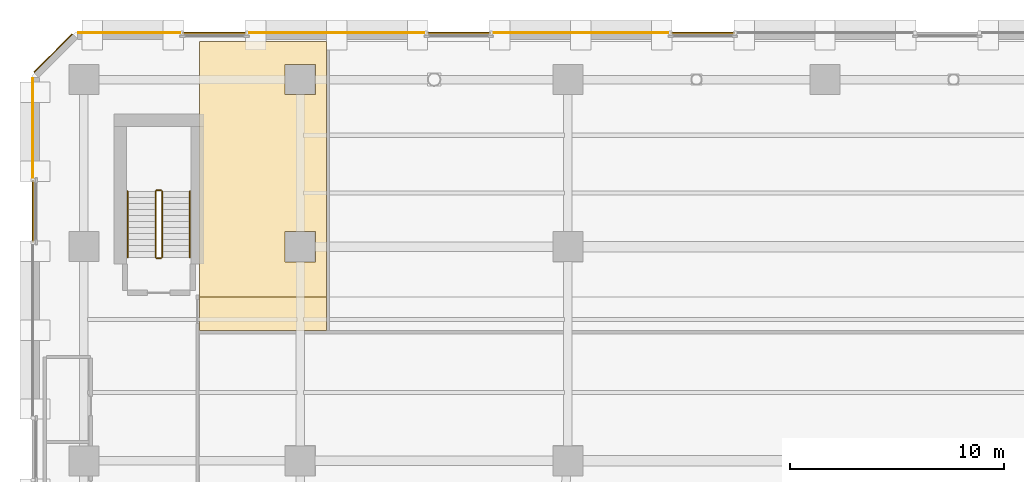
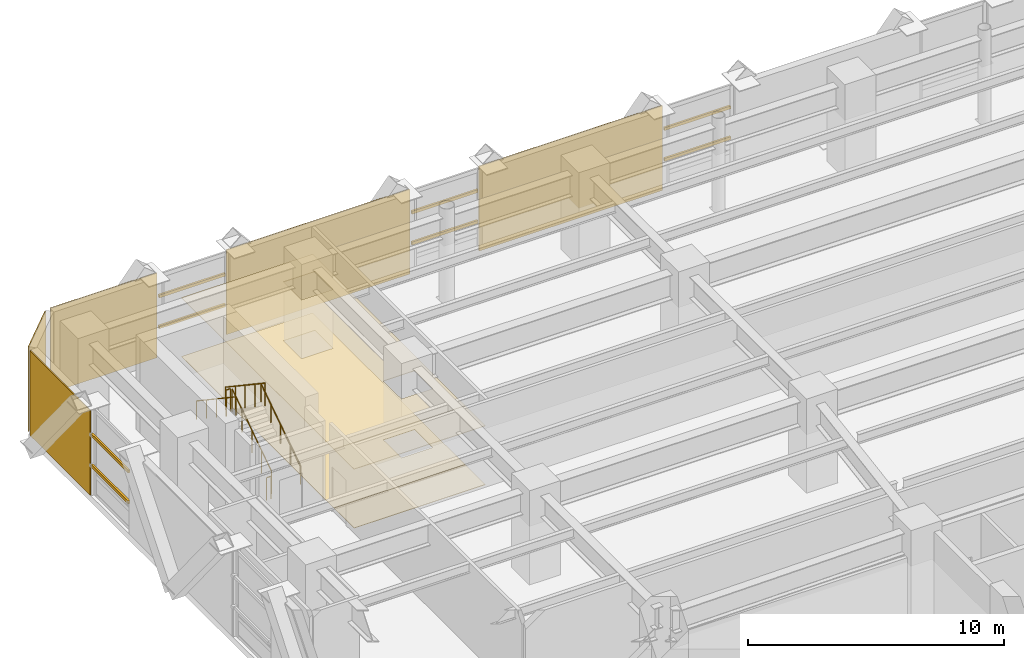
# One storey, part 24 of 26: 9 coverings, 8 shading devices, 6 railings.
"""IFC4 building model written with IfcOpenShell, lengths in metres."""

import ifcopenshell
import ifcopenshell.guid

model = None  # the IFC model being written
_history = None  # IfcOwnerHistory: only IFC2X3 demands one
_inside = {}  # id of a spatial element -> (the spatial element, [elements in it])
_under = {}  # id of a project, library or spatial element -> (it, [spatial elements below it])
_declared = {}  # id of a project -> (the project, [libraries it declares])
_typed = {}  # id of a type object -> (the type object, [elements of that type])
_made_of = {}  # id of a material, layer set ... -> (it, [elements and type objects made of it])


def new_model(schema):
    """Start an empty IFC model of exactly this schema.

    Asked for "IFC4X3", IfcOpenShell would pick the latest addendum, in which some entities
    have other attributes; the version numbers below select the first issue.
    IFC2X3 requires an IfcOwnerHistory on every rooted entity: one is made here for all.
    """
    global model, _history
    if schema == "IFC4X3":
        model = ifcopenshell.file(schema_version=(4, 3, 0, 0))
    else:
        model = ifcopenshell.file(schema=schema)
    _inside.clear()
    _under.clear()
    _declared.clear()
    _typed.clear()
    _made_of.clear()
    _history = None
    if model.schema == "IFC2X3":
        org = make("IfcOrganization", Name="unknown")
        user = make(
            "IfcPersonAndOrganization",
            ThePerson=make("IfcPerson", FamilyName="unknown"),
            TheOrganization=org,
        )
        app = make(
            "IfcApplication",
            ApplicationDeveloper=org,
            Version="unknown",
            ApplicationFullName="unknown",
            ApplicationIdentifier="unknown",
        )
        _history = make(
            "IfcOwnerHistory",
            OwningUser=user,
            OwningApplication=app,
            ChangeAction="ADDED",
            CreationDate=0,
        )
    return model


def make(cls, **values):
    """One entity of the class cls with the attributes given. An attribute that is None is left unset."""
    return model.create_entity(
        cls, **{name: value for name, value in values.items() if value is not None}
    )


def rooted(cls, **values):
    """An entity with a GlobalId (a new one), such as an element, a storey or a relation."""
    return make(cls, GlobalId=ifcopenshell.guid.new(), OwnerHistory=_history, **values)


def si_unit(unit_type, name, prefix=None):
    """IfcSIUnit, for example si_unit("LENGTHUNIT", "METRE", prefix="MILLI")."""
    return make("IfcSIUnit", UnitType=unit_type, Prefix=prefix, Name=name)


def assignment(units):
    """IfcUnitAssignment: the units of a project."""
    return None if units is None else make("IfcUnitAssignment", Units=units)


def point(xyz):
    """IfcCartesianPoint."""
    return None if xyz is None else make("IfcCartesianPoint", Coordinates=xyz)


def direction(xyz):
    """IfcDirection."""
    return None if xyz is None else make("IfcDirection", DirectionRatios=xyz)


def frame(location, z_axis=None, x_axis=None):
    """IfcAxis2Placement3D, a coordinate frame: its origin and axes. An axis left out is left unset."""
    return make(
        "IfcAxis2Placement3D",
        Location=point(location),
        Axis=direction(z_axis),
        RefDirection=direction(x_axis),
    )


def frame_2d(location, x_axis=None):
    """IfcAxis2Placement2D, a coordinate frame in the plane: its origin and x axis."""
    return make(
        "IfcAxis2Placement2D", Location=point(location), RefDirection=direction(x_axis)
    )


def origin():
    """The frame at (0, 0, 0) with its axes left unset."""
    return frame((0.0, 0.0, 0.0))


def origin_2d():
    """The frame at (0, 0) in the plane with its x axis left unset."""
    return frame_2d((0.0, 0.0))


def place(relative_to, where):
    """IfcLocalPlacement: puts the frame where relative to a parent placement (None: the world)."""
    return make(
        "IfcLocalPlacement", PlacementRelTo=relative_to, RelativePlacement=where
    )


def context(
    kind, dimensions, precision=None, world=None, true_north=None, identifier=None
):
    """IfcGeometricRepresentationContext, for example the 3D "Model" context."""
    return make(
        "IfcGeometricRepresentationContext",
        ContextIdentifier=identifier,
        ContextType=kind,
        CoordinateSpaceDimension=dimensions,
        Precision=precision,
        WorldCoordinateSystem=world,
        TrueNorth=true_north,
    )


def subcontext(parent, identifier, kind, view, scale=None):
    """IfcGeometricRepresentationSubContext, for example "Body" below "Model"."""
    return make(
        "IfcGeometricRepresentationSubContext",
        ContextIdentifier=identifier,
        ContextType=kind,
        ParentContext=parent,
        TargetScale=scale,
        TargetView=view,
    )


def project(units=None, contexts=None):
    """IfcProject with its units and contexts."""
    return rooted(
        "IfcProject",
        Name="project",
        RepresentationContexts=contexts,
        UnitsInContext=assignment(units),
    )


def spatial(cls, under=None, at=None, **own):
    """A site, building, storey or space (cls), placed at a placement, below another one or the project."""
    s = rooted(cls, ObjectPlacement=at, **own)
    if under is not None:
        _under.setdefault(under.id(), (under, []))[1].append(s)
    return s


def polyline(points):
    """IfcPolyline through the points."""
    return make("IfcPolyline", Points=[point(p) for p in points])


def profile(cls, at=None, kind="AREA", **sizes):
    """A parametric profile (cls). Its sizes go by their IFC names, for example OverallWidth=200.0."""
    return make(cls, ProfileType=kind, Position=at, **sizes)


def rectangle(**sizes):
    """IfcRectangleProfileDef."""
    return profile("IfcRectangleProfileDef", **sizes)


def circle(**sizes):
    """IfcCircleProfileDef."""
    return profile("IfcCircleProfileDef", **sizes)


def outline(outer, holes=None, kind="AREA"):
    """IfcArbitraryClosedProfileDef: a profile drawn as a closed curve; with holes, ...WithVoids."""
    if holes is None:
        return make("IfcArbitraryClosedProfileDef", ProfileType=kind, OuterCurve=outer)
    return make(
        "IfcArbitraryProfileDefWithVoids",
        ProfileType=kind,
        OuterCurve=outer,
        InnerCurves=holes,
    )


def extrude(swept, where, along, depth):
    """IfcExtrudedAreaSolid: the profile swept, set in the frame where, extruded along a direction by depth."""
    return make(
        "IfcExtrudedAreaSolid",
        SweptArea=swept,
        Position=where,
        ExtrudedDirection=direction(along),
        Depth=depth,
    )


def shape(context_of_items, identifier, shape_type, items):
    """IfcShapeRepresentation: the items that make up one representation, for example the "Body"."""
    return make(
        "IfcShapeRepresentation",
        ContextOfItems=context_of_items,
        RepresentationIdentifier=identifier,
        RepresentationType=shape_type,
        Items=items,
    )


def material(Name=None, Category=None):
    """IfcMaterial."""
    return make("IfcMaterial", Name=Name, Category=Category)


def layer(
    of_material, thickness, ventilated=None, Name=None, Category=None, Priority=None
):
    """IfcMaterialLayer: one layer of a wall or slab, of a material (None: an air gap)."""
    return make(
        "IfcMaterialLayer",
        Material=of_material,
        LayerThickness=thickness,
        IsVentilated=ventilated,
        Name=Name,
        Category=Category,
        Priority=Priority,
    )


def layer_set(layers, Name=None):
    """IfcMaterialLayerSet."""
    return make("IfcMaterialLayerSet", MaterialLayers=layers, LayerSetName=Name)


def material_profile(
    of_material, cross_section, Name=None, Category=None, Priority=None
):
    """IfcMaterialProfile: a cross section and its material."""
    return make(
        "IfcMaterialProfile",
        Name=Name,
        Material=of_material,
        Profile=cross_section,
        Priority=Priority,
        Category=Category,
    )


def profile_set(profiles, Name=None, composite=None):
    """IfcMaterialProfileSet."""
    return make(
        "IfcMaterialProfileSet",
        Name=Name,
        MaterialProfiles=profiles,
        CompositeProfile=composite,
    )


def made_of(thing, what):
    """Note that an element or type object is made of a material, layer set ...; save() writes the relation."""
    if what is not None:
        _made_of.setdefault(what.id(), (what, []))[1].append(thing)
    return thing


def type_object(cls, material=None, **own):
    """A type object (cls), such as IfcWallType, which elements share."""
    return made_of(rooted(cls, **own), material)


def element(
    cls,
    number,
    at=None,
    inside=None,
    cuts=None,
    type_object=None,
    material=None,
    context=None,
    identifier="Body",
    shape_type=None,
    held_by="IfcProductDefinitionShape",
    body=None,
    shapes=None,
    **own,
):
    """One element of the class cls, such as IfcWall. Its Tag is "e" and its number.

    at: its placement. inside: the storey or other place that contains it. cuts: it is an
    opening in that element (IfcRelVoidsElement). A single representation is given by context,
    identifier, shape_type and body (its items); several are given by shapes. held_by: the class
    of the entity that holds the representations. save() writes the other relations.
    """
    e = rooted(cls, Tag="e%d" % number, ObjectPlacement=at, **own)
    if body is not None:
        shapes = [shape(context, identifier, shape_type, body)]
    if shapes is not None:
        e.Representation = make(held_by, Representations=shapes)
    if inside is not None:
        _inside.setdefault(inside.id(), (inside, []))[1].append(e)
    if cuts is not None:
        rooted(
            "IfcRelVoidsElement", RelatingBuildingElement=cuts, RelatedOpeningElement=e
        )
    if type_object is not None:
        _typed.setdefault(type_object.id(), (type_object, []))[1].append(e)
    return made_of(e, material)


def aggregate(whole, parts):
    """IfcRelAggregates: a whole, such as a stair, and the parts it consists of."""
    return rooted("IfcRelAggregates", RelatingObject=whole, RelatedObjects=parts)


def save(model, path):
    """Write the relations noted so far, then the file.

    IfcRelAggregates (storeys below a building ...), IfcRelContainedInSpatialStructure (elements
    in a storey), IfcRelDefinesByType, IfcRelAssociatesMaterial and IfcRelDeclares: one each for
    every whole, place, type object, material and project.
    """
    for whole, parts in _under.values():
        aggregate(whole, parts)
    for where, things in _inside.values():
        rooted(
            "IfcRelContainedInSpatialStructure",
            RelatedElements=things,
            RelatingStructure=where,
        )
    for kind, things in _typed.values():
        rooted("IfcRelDefinesByType", RelatedObjects=things, RelatingType=kind)
    for what, things in _made_of.values():
        rooted("IfcRelAssociatesMaterial", RelatedObjects=things, RelatingMaterial=what)
    for by, libraries in _declared.values():
        rooted("IfcRelDeclares", RelatingContext=by, RelatedDefinitions=libraries)
    model.write(path)


model = new_model("IFC4")

# Units and contexts
model_context = context("Model", 3, precision=1e-05, world=origin(), true_north=direction((0.0, 1.0)))
body_context = subcontext(model_context, "Body", "Model", "MODEL_VIEW")
ifc_project = project(units=[si_unit("LENGTHUNIT", "METRE"), si_unit("AREAUNIT", "SQUARE_METRE"), si_unit("VOLUMEUNIT", "CUBIC_METRE"), si_unit("PLANEANGLEUNIT", "RADIAN"), si_unit("MASSUNIT", "GRAM", prefix="KILO")], contexts=[model_context])

# Site, building, storey
site_placement = place(None, origin())
site = spatial("IfcSite", under=ifc_project, at=site_placement, CompositionType="ELEMENT")
building_placement = place(site_placement, origin())
building = spatial("IfcBuilding", under=site, at=building_placement, Name="Quenlor Broadcast Tower", CompositionType="ELEMENT")
storey_placement = place(building_placement, frame((0.0, 0.0, 18.5)))
storey = spatial("IfcBuildingStorey", under=building, at=storey_placement, Name="L04", CompositionType="ELEMENT", Elevation=18.5)

# Coverings
ifc_material_1 = material(Name="Acoustic Mineral Fibre Board", Category="other")
ifc_layer_1 = layer(ifc_material_1, 0.02490234375)
ifc_layer_set_1 = layer_set([ifc_layer_1], Name="Acoustic Perforated Mineral Tile Ceiling 25")
covering_type_1 = type_object("IfcCoveringType", Name="Acoustic Perforated Mineral Tile Ceiling 25", PredefinedType="CEILING", material=ifc_layer_set_1)
covering_1_placement = place(storey_placement, frame((0.0, 0.0, 2.804931640625)))
element("IfcCovering", 1, at=covering_1_placement, inside=storey, type_object=covering_type_1, Name="L04 Acoustic Ceiling L04-36", PredefinedType="CEILING", context=body_context, shape_type="SweptSolid", body=[
    extrude(outline(polyline([(-23.280029296875, 11.080078125), (-29.199951171875, 11.080078125), (-29.199951171875, 12.64990234375), (-23.280029296875, 12.64990234375), (-23.280029296875, 11.080078125)])), origin(), (0.0, 0.0, 1.0), 0.025146484375),
])
covering_2_placement = place(storey_placement, frame((0.0, 0.0, 2.804931640625)))
element("IfcCovering", 2, at=covering_2_placement, inside=storey, type_object=covering_type_1, Name="L04 Acoustic Ceiling L04-36-2", PredefinedType="CEILING", context=body_context, shape_type="SweptSolid", body=[
    extrude(outline(polyline([(-23.280029296875, 24.580078125), (-23.280029296875, 12.64990234375), (-29.199951171875, 12.64990234375), (-29.199951171875, 24.580078125), (-23.280029296875, 24.580078125)]), holes=[polyline([(-23.7919921875, 14.2919921875), (-23.7919921875, 15.7080078125), (-25.2080078125, 15.7080078125), (-25.2080078125, 14.2919921875), (-23.7919921875, 14.2919921875)]), polyline([(-23.7919921875, 23.508056640625), (-25.2080078125, 23.508056640625), (-25.2080078125, 22.092041015625), (-23.7919921875, 22.092041015625), (-23.7919921875, 23.508056640625)])]), origin(), (0.0, 0.0, 1.0), 0.025146484375),
])

# Shading devices
ifc_material_2 = material(Name="Architectural Terracotta Ceramic", Category="masonry")
ifc_material_profile = material_profile(ifc_material_2, rectangle(XDim=0.090087890625, YDim=0.139892578125, at=origin_2d()))
ifc_profile_set = profile_set([ifc_material_profile], Name="Architectural Terracotta Ceramic BAG90x140")
shading_device_type = type_object("IfcShadingDeviceType", Name="Copper Terracotta Baguette Solar Screen 140", PredefinedType="USERDEFINED", material=ifc_profile_set)
for number, where, z_axis, x_axis, name in (
    (3, (-29.993896484375, 24.972900390625, 1.46875), (1.0, 0.0, 0.0), (0.0, 1.0, 0.0), "L04 Terracotta Baguette Screen 1"),
    (4, (-29.993896484375, 24.972900390625, 2.9375), (1.0, 0.0, 0.0), (0.0, 1.0, 0.0), "L04 Terracotta Baguette Screen 2"),
    (5, (-18.593994140625, 24.972900390625, 1.46875), (1.0, 0.0, 0.0), (0.0, 1.0, 0.0), "L04 Terracotta Baguette Screen 1"),
    (6, (-18.593994140625, 24.972900390625, 2.9375), (1.0, 0.0, 0.0), (0.0, 1.0, 0.0), "L04 Terracotta Baguette Screen 2"),
    (7, (-7.19384765625, 24.972900390625, 1.46875), (1.0, 0.0, 0.0), (0.0, 1.0, 0.0), "L04 Terracotta Baguette Screen 1"),
    (8, (-7.19384765625, 24.972900390625, 2.9375), (1.0, 0.0, 0.0), (0.0, 1.0, 0.0), "L04 Terracotta Baguette Screen 2"),
):
    element("IfcShadingDevice", number, at=place(storey_placement, frame(where, z_axis=z_axis, x_axis=x_axis)), inside=storey, type_object=shading_device_type, Name=name, ObjectType="BAGUETTE", PredefinedType="USERDEFINED", context=body_context, shape_type="SweptSolid", body=[
        extrude(rectangle(XDim=0.090087890625, YDim=0.139892578125, at=origin_2d()), origin(), (0.0, 0.0, 1.0), 2.98779296875),
    ])
for number, where, z_axis, x_axis, name in (
    (9, (-36.972900390625, 15.206298828125, 1.46875), (0.0, 1.0, 0.0), (-1.0, 0.0, 0.0), "L04 Terracotta Baguette Screen 1"),
    (10, (-36.972900390625, 15.206298828125, 2.9375), (0.0, 1.0, 0.0), (-1.0, 0.0, 0.0), "L04 Terracotta Baguette Screen 2"),
):
    element("IfcShadingDevice", number, at=place(storey_placement, frame(where, z_axis=z_axis, x_axis=x_axis)), inside=storey, type_object=shading_device_type, Name=name, ObjectType="BAGUETTE", PredefinedType="USERDEFINED", context=body_context, shape_type="SweptSolid", body=[
        extrude(rectangle(XDim=0.090087890625, YDim=0.139892578125, at=origin_2d()), origin(), (0.0, 0.0, 1.0), 2.88720703125),
    ])

# Coverings
ifc_material_3 = material(Name="Architectural Terracotta Ceramic", Category="masonry")
ifc_layer_2 = layer(ifc_material_3, 0.044921875)
ifc_layer_set_2 = layer_set([ifc_layer_2], Name="Fluted Terracotta Rainscreen Cladding Panel")
covering_type_2 = type_object("IfcCoveringType", Name="Fluted Terracotta Rainscreen Cladding Panel", PredefinedType="CLADDING", material=ifc_layer_set_2)
covering_3_placement = place(storey_placement, frame((0.0, 0.0, 0.02001953125)))
element("IfcCovering", 11, at=covering_3_placement, inside=storey, type_object=covering_type_2, Name="L04 Terracotta Rainscreen Cladding L04-N-FULL-SP1", PredefinedType="CLADDING", context=body_context, shape_type="SweptSolid", body=[
    extrude(outline(polyline([(-34.8701171875, 24.971923828125), (-30.06494140625, 24.971923828125), (-30.06494140625, 25.01708984375), (-34.8701171875, 25.01708984375), (-34.8701171875, 24.971923828125)])), origin(), (0.0, 0.0, 1.0), 4.0400390625),
])
covering_4_placement = place(storey_placement, frame((0.0, 0.0, 0.02001953125)))
element("IfcCovering", 12, at=covering_4_placement, inside=storey, type_object=covering_type_2, Name="L04 Terracotta Rainscreen Cladding L04-N-FULL-SP2", PredefinedType="CLADDING", context=body_context, shape_type="SweptSolid", body=[
    extrude(outline(polyline([(-26.93505859375, 24.971923828125), (-18.664794921875, 24.971923828125), (-18.664794921875, 25.01708984375), (-26.93505859375, 25.01708984375), (-26.93505859375, 24.971923828125)])), origin(), (0.0, 0.0, 1.0), 4.0400390625),
])
covering_5_placement = place(storey_placement, frame((0.0, 0.0, 0.02001953125)))
element("IfcCovering", 13, at=covering_5_placement, inside=storey, type_object=covering_type_2, Name="L04 Terracotta Rainscreen Cladding L04-N-FULL-SP3", PredefinedType="CLADDING", context=body_context, shape_type="SweptSolid", body=[
    extrude(outline(polyline([(-15.53515625, 24.971923828125), (-7.264892578125, 24.971923828125), (-7.264892578125, 25.01708984375), (-15.53515625, 25.01708984375), (-15.53515625, 24.971923828125)])), origin(), (0.0, 0.0, 1.0), 4.0400390625),
])
covering_6_placement = place(storey_placement, frame((0.0, 0.0, 0.02001953125)))
element("IfcCovering", 14, at=covering_6_placement, inside=storey, type_object=covering_type_2, Name="L04 Terracotta Rainscreen Cladding L04-W-FULL-SP5", PredefinedType="CLADDING", context=body_context, shape_type="SweptSolid", body=[
    extrude(outline(polyline([(-36.971923828125, 18.16455078125), (-36.971923828125, 22.8701171875), (-37.01708984375, 22.8701171875), (-37.01708984375, 18.16455078125), (-36.971923828125, 18.16455078125)])), origin(), (0.0, 0.0, 1.0), 4.0400390625),
])
covering_7_placement = place(storey_placement, frame((0.0, 0.0, 0.02001953125)))
element("IfcCovering", 15, at=covering_7_placement, inside=storey, type_object=covering_type_2, Name="L04 Terracotta Rainscreen Cladding L04-EW-CNW", PredefinedType="CLADDING", context=body_context, shape_type="SweptSolid", body=[
    extrude(outline(polyline([(-36.90625, 23.128662109375), (-35.128662109375, 24.90625), (-35.160400390625, 24.93798828125), (-36.93798828125, 23.160400390625), (-36.90625, 23.128662109375)])), origin(), (0.0, 0.0, 1.0), 4.0400390625),
])
ifc_material_4 = material(Name="Terrazzo Stone Finish", Category="masonry")
ifc_layer_3 = layer(ifc_material_4, 0.02001953125)
ifc_layer_set_3 = layer_set([ifc_layer_3], Name="Polished Sandstone Terrazzo Flooring 20")
covering_type_3 = type_object("IfcCoveringType", Name="Polished Sandstone Terrazzo Flooring 20", PredefinedType="FLOORING", material=ifc_layer_set_3)
covering_8_placement = place(storey_placement, origin())
element("IfcCovering", 16, at=covering_8_placement, inside=storey, type_object=covering_type_3, Name="L04 Terrazzo Flooring L04-36", PredefinedType="FLOORING", context=body_context, shape_type="SweptSolid", body=[
    extrude(outline(polyline([(-23.280029296875, 11.080078125), (-29.199951171875, 11.080078125), (-29.199951171875, 12.64990234375), (-23.280029296875, 12.64990234375), (-23.280029296875, 11.080078125)])), origin(), (0.0, 0.0, 1.0), 0.02001953125),
])
covering_9_placement = place(storey_placement, origin())
element("IfcCovering", 17, at=covering_9_placement, inside=storey, type_object=covering_type_3, Name="L04 Terrazzo Flooring L04-36-2", PredefinedType="FLOORING", context=body_context, shape_type="SweptSolid", body=[
    extrude(outline(polyline([(-23.280029296875, 24.580078125), (-23.280029296875, 12.64990234375), (-29.199951171875, 12.64990234375), (-29.199951171875, 24.580078125), (-23.280029296875, 24.580078125)]), holes=[polyline([(-23.7919921875, 14.2919921875), (-23.7919921875, 15.7080078125), (-25.2080078125, 15.7080078125), (-25.2080078125, 14.2919921875), (-23.7919921875, 14.2919921875)]), polyline([(-23.7919921875, 23.508056640625), (-25.2080078125, 23.508056640625), (-25.2080078125, 22.092041015625), (-23.7919921875, 22.092041015625), (-23.7919921875, 23.508056640625)])]), origin(), (0.0, 0.0, 1.0), 0.02001953125),
])

# Railings
ifc_material_5 = material(Name="Anodised Aluminium", Category="aluminium")
railing_type_1 = type_object("IfcRailingType", Name="Stainless Aluminium Wall Handrail 900", PredefinedType="HANDRAIL", material=ifc_material_5)
railing_1_placement = place(storey_placement, frame((-29.64990234375, 14.5, 0.1875)))
element("IfcRailing", 18, at=railing_1_placement, inside=storey, type_object=railing_type_1, Name="L04 ST-3 stair handrail 1", PredefinedType="HANDRAIL", context=body_context, shape_type="SweptSolid", body=[
    extrude(circle(Radius=0.02392578125, at=origin_2d()), frame((0.0, 0.0, 0.8759765625), z_axis=(0.0, 0.830913701846, 0.55640131208), x_axis=(-1.0, 0.0, 0.0)), (0.0, 0.0, 1.0), 3.706787109375),
    extrude(circle(Radius=0.02099609375, at=origin_2d()), origin(), (0.0, 0.0, 1.0), 0.851806640625),
    extrude(circle(Radius=0.02099609375, at=origin_2d()), frame((0.0, 0.77001953125, 0.515625)), (0.0, 0.0, 1.0), 0.851806640625),
    extrude(circle(Radius=0.02099609375, at=origin_2d()), frame((0.0, 1.5400390625, 1.03125)), (0.0, 0.0, 1.0), 0.851806640625),
    extrude(circle(Radius=0.02099609375, at=origin_2d()), frame((0.0, 2.31005859375, 1.546875)), (0.0, 0.0, 1.0), 0.851806640625),
    extrude(circle(Radius=0.02099609375, at=origin_2d()), frame((0.0, 3.080078125, 2.0625)), (0.0, 0.0, 1.0), 0.851806640625),
])
railing_2_placement = place(storey_placement, frame((-32.550048828125, 17.580078125, 2.4375)))
element("IfcRailing", 19, at=railing_2_placement, inside=storey, type_object=railing_type_1, Name="L04 ST-3 stair handrail 2", PredefinedType="HANDRAIL", context=body_context, shape_type="SweptSolid", body=[
    extrude(circle(Radius=0.02392578125, at=origin_2d()), frame((0.0, 0.0, 0.8759765625), z_axis=(0.0, -0.830913701846, 0.55640131208), x_axis=(1.0, 0.0, 0.0)), (0.0, 0.0, 1.0), 3.706787109375),
    extrude(circle(Radius=0.02099609375, at=origin_2d()), origin(), (0.0, 0.0, 1.0), 0.851806640625),
    extrude(circle(Radius=0.02099609375, at=origin_2d()), frame((0.0, -0.77001953125, 0.515625)), (0.0, 0.0, 1.0), 0.851806640625),
    extrude(circle(Radius=0.02099609375, at=origin_2d()), frame((0.0, -1.5400390625, 1.03125)), (0.0, 0.0, 1.0), 0.851806640625),
    extrude(circle(Radius=0.02099609375, at=origin_2d()), frame((0.0, -2.31005859375, 1.546875)), (0.0, 0.0, 1.0), 0.851806640625),
    extrude(circle(Radius=0.02099609375, at=origin_2d()), frame((0.0, -3.080078125, 2.0625)), (0.0, 0.0, 1.0), 0.851806640625),
])
ifc_material_6 = material(Name="Steel S355", Category="steel")
railing_type_2 = type_object("IfcRailingType", Name="Tubular Steel S355 Stair Guardrail 1100", PredefinedType="BALUSTRADE", material=ifc_material_6)
railing_3_placement = place(storey_placement, frame((-30.949951171875, 14.5, 0.1875)))
element("IfcRailing", 20, at=railing_3_placement, inside=storey, type_object=railing_type_2, Name="L04 ST-3 stair guard 1", PredefinedType="BALUSTRADE", context=body_context, shape_type="SweptSolid", body=[
    extrude(circle(Radius=0.02392578125, at=origin_2d()), frame((0.0, 0.0, 1.076171875), z_axis=(0.0, 0.830913701846, 0.55640131208), x_axis=(-1.0, 0.0, 0.0)), (0.0, 0.0, 1.0), 3.706787109375),
    extrude(circle(Radius=0.02099609375, at=origin_2d()), origin(), (0.0, 0.0, 1.0), 1.052001953125),
    extrude(circle(Radius=0.02099609375, at=origin_2d()), frame((0.0, 0.77001953125, 0.515625)), (0.0, 0.0, 1.0), 1.052001953125),
    extrude(circle(Radius=0.02099609375, at=origin_2d()), frame((0.0, 1.5400390625, 1.03125)), (0.0, 0.0, 1.0), 1.052001953125),
    extrude(circle(Radius=0.02099609375, at=origin_2d()), frame((0.0, 2.31005859375, 1.546875)), (0.0, 0.0, 1.0), 1.052001953125),
    extrude(circle(Radius=0.02099609375, at=origin_2d()), frame((0.0, 3.080078125, 2.0625)), (0.0, 0.0, 1.0), 1.052001953125),
])
railing_4_placement = place(storey_placement, frame((-31.0, 17.6298828125, 2.25)))
element("IfcRailing", 21, at=railing_4_placement, inside=storey, type_object=railing_type_2, Name="L04 ST-3 stair guard 2", PredefinedType="BALUSTRADE", context=body_context, shape_type="SweptSolid", body=[
    extrude(circle(Radius=0.02392578125, at=origin_2d()), frame((0.0, 0.0, 1.076171875), z_axis=(-1.0, 0.0, 0.0), x_axis=(0.0, -1.0, 0.0)), (0.0, 0.0, 1.0), 0.199951171875),
    extrude(circle(Radius=0.02099609375, at=origin_2d()), origin(), (0.0, 0.0, 1.0), 1.052001953125),
    extrude(circle(Radius=0.02099609375, at=origin_2d()), frame((-0.199951171875, 0.0, 0.0)), (0.0, 0.0, 1.0), 1.052001953125),
])
railing_5_placement = place(storey_placement, frame((-31.25, 17.580078125, 2.4375)))
element("IfcRailing", 22, at=railing_5_placement, inside=storey, type_object=railing_type_2, Name="L04 ST-3 stair guard 3", PredefinedType="BALUSTRADE", context=body_context, shape_type="SweptSolid", body=[
    extrude(circle(Radius=0.02392578125, at=origin_2d()), frame((0.0, 0.0, 1.076171875), z_axis=(0.0, -0.830913701846, 0.55640131208), x_axis=(1.0, 0.0, 0.0)), (0.0, 0.0, 1.0), 3.706787109375),
    extrude(circle(Radius=0.02099609375, at=origin_2d()), origin(), (0.0, 0.0, 1.0), 1.052001953125),
    extrude(circle(Radius=0.02099609375, at=origin_2d()), frame((0.0, -0.77001953125, 0.515625)), (0.0, 0.0, 1.0), 1.052001953125),
    extrude(circle(Radius=0.02099609375, at=origin_2d()), frame((0.0, -1.5400390625, 1.03125)), (0.0, 0.0, 1.0), 1.052001953125),
    extrude(circle(Radius=0.02099609375, at=origin_2d()), frame((0.0, -2.31005859375, 1.546875)), (0.0, 0.0, 1.0), 1.052001953125),
    extrude(circle(Radius=0.02099609375, at=origin_2d()), frame((0.0, -3.080078125, 2.0625)), (0.0, 0.0, 1.0), 1.052001953125),
])
railing_6_placement = place(storey_placement, frame((-31.0, 14.449951171875, 0.0)))
element("IfcRailing", 23, at=railing_6_placement, inside=storey, type_object=railing_type_2, Name="L04 ST-3 stair guard 4", PredefinedType="BALUSTRADE", context=body_context, shape_type="SweptSolid", body=[
    extrude(circle(Radius=0.02392578125, at=origin_2d()), frame((0.0, 0.0, 1.076171875), z_axis=(-1.0, 0.0, 0.0), x_axis=(0.0, -1.0, 0.0)), (0.0, 0.0, 1.0), 0.199951171875),
    extrude(circle(Radius=0.02099609375, at=origin_2d()), origin(), (0.0, 0.0, 1.0), 1.052001953125),
    extrude(circle(Radius=0.02099609375, at=origin_2d()), frame((-0.199951171875, 0.0, 0.0)), (0.0, 0.0, 1.0), 1.052001953125),
])

save(model, "model.ifc")
